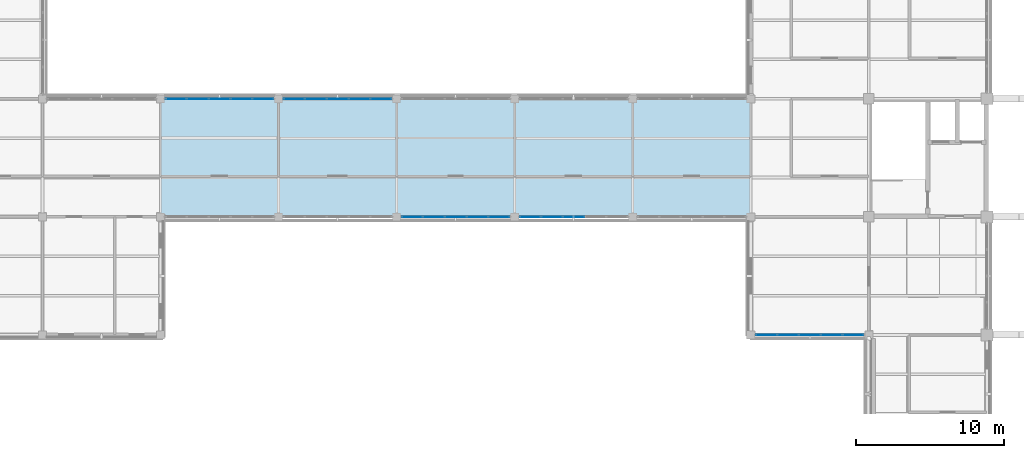
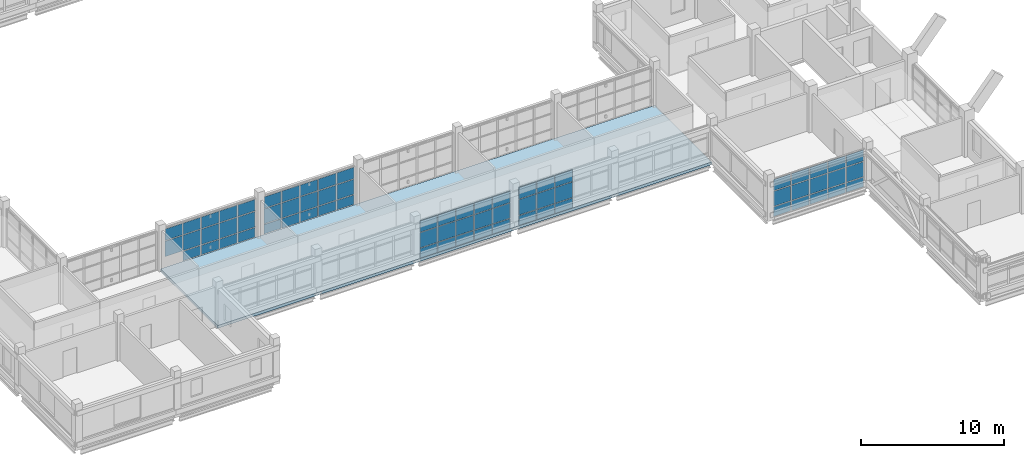
# One storey, part 49 of 92: 68 plates, 1 slab, 5 elements without a shape of their own.
"""IFC4 building model written with IfcOpenShell, lengths in metres."""

import ifcopenshell
import ifcopenshell.guid

model = None  # the IFC model being written
_history = None  # IfcOwnerHistory: only IFC2X3 demands one
_inside = {}  # id of a spatial element -> (the spatial element, [elements in it])
_under = {}  # id of a project, library or spatial element -> (it, [spatial elements below it])
_declared = {}  # id of a project -> (the project, [libraries it declares])
_typed = {}  # id of a type object -> (the type object, [elements of that type])
_made_of = {}  # id of a material, layer set ... -> (it, [elements and type objects made of it])


def new_model(schema):
    """Start an empty IFC model of exactly this schema.

    Asked for "IFC4X3", IfcOpenShell would pick the latest addendum, in which some entities
    have other attributes; the version numbers below select the first issue.
    IFC2X3 requires an IfcOwnerHistory on every rooted entity: one is made here for all.
    """
    global model, _history
    if schema == "IFC4X3":
        model = ifcopenshell.file(schema_version=(4, 3, 0, 0))
    else:
        model = ifcopenshell.file(schema=schema)
    _inside.clear()
    _under.clear()
    _declared.clear()
    _typed.clear()
    _made_of.clear()
    _history = None
    if model.schema == "IFC2X3":
        org = make("IfcOrganization", Name="unknown")
        user = make(
            "IfcPersonAndOrganization",
            ThePerson=make("IfcPerson", FamilyName="unknown"),
            TheOrganization=org,
        )
        app = make(
            "IfcApplication",
            ApplicationDeveloper=org,
            Version="unknown",
            ApplicationFullName="unknown",
            ApplicationIdentifier="unknown",
        )
        _history = make(
            "IfcOwnerHistory",
            OwningUser=user,
            OwningApplication=app,
            ChangeAction="ADDED",
            CreationDate=0,
        )
    return model


def make(cls, **values):
    """One entity of the class cls with the attributes given. An attribute that is None is left unset."""
    return model.create_entity(
        cls, **{name: value for name, value in values.items() if value is not None}
    )


def rooted(cls, **values):
    """An entity with a GlobalId (a new one), such as an element, a storey or a relation."""
    return make(cls, GlobalId=ifcopenshell.guid.new(), OwnerHistory=_history, **values)


def si_unit(unit_type, name, prefix=None):
    """IfcSIUnit, for example si_unit("LENGTHUNIT", "METRE", prefix="MILLI")."""
    return make("IfcSIUnit", UnitType=unit_type, Prefix=prefix, Name=name)


def derived_unit(unit_type, elements):
    """IfcDerivedUnit: a product of units, each with its exponent."""
    return make(
        "IfcDerivedUnit",
        Elements=[
            make("IfcDerivedUnitElement", Unit=unit, Exponent=power)
            for unit, power in elements
        ],
        UnitType=unit_type,
    )


def assignment(units):
    """IfcUnitAssignment: the units of a project."""
    return None if units is None else make("IfcUnitAssignment", Units=units)


def point(xyz):
    """IfcCartesianPoint."""
    return None if xyz is None else make("IfcCartesianPoint", Coordinates=xyz)


def direction(xyz):
    """IfcDirection."""
    return None if xyz is None else make("IfcDirection", DirectionRatios=xyz)


def frame(location, z_axis=None, x_axis=None):
    """IfcAxis2Placement3D, a coordinate frame: its origin and axes. An axis left out is left unset."""
    return make(
        "IfcAxis2Placement3D",
        Location=point(location),
        Axis=direction(z_axis),
        RefDirection=direction(x_axis),
    )


def frame_2d(location, x_axis=None):
    """IfcAxis2Placement2D, a coordinate frame in the plane: its origin and x axis."""
    return make(
        "IfcAxis2Placement2D", Location=point(location), RefDirection=direction(x_axis)
    )


def origin():
    """The frame at (0, 0, 0) with its axes left unset."""
    return frame((0.0, 0.0, 0.0))


def origin_2d():
    """The frame at (0, 0) in the plane with its x axis left unset."""
    return frame_2d((0.0, 0.0))


def place(relative_to, where):
    """IfcLocalPlacement: puts the frame where relative to a parent placement (None: the world)."""
    return make(
        "IfcLocalPlacement", PlacementRelTo=relative_to, RelativePlacement=where
    )


def context(
    kind, dimensions, precision=None, world=None, true_north=None, identifier=None
):
    """IfcGeometricRepresentationContext, for example the 3D "Model" context."""
    return make(
        "IfcGeometricRepresentationContext",
        ContextIdentifier=identifier,
        ContextType=kind,
        CoordinateSpaceDimension=dimensions,
        Precision=precision,
        WorldCoordinateSystem=world,
        TrueNorth=true_north,
    )


def subcontext(parent, identifier, kind, view, scale=None):
    """IfcGeometricRepresentationSubContext, for example "Body" below "Model"."""
    return make(
        "IfcGeometricRepresentationSubContext",
        ContextIdentifier=identifier,
        ContextType=kind,
        ParentContext=parent,
        TargetScale=scale,
        TargetView=view,
    )


def project(units=None, contexts=None):
    """IfcProject with its units and contexts."""
    return rooted(
        "IfcProject",
        Name="project",
        RepresentationContexts=contexts,
        UnitsInContext=assignment(units),
    )


def spatial(cls, under=None, at=None, **own):
    """A site, building, storey or space (cls), placed at a placement, below another one or the project."""
    s = rooted(cls, ObjectPlacement=at, **own)
    if under is not None:
        _under.setdefault(under.id(), (under, []))[1].append(s)
    return s


def polyline(points):
    """IfcPolyline through the points."""
    return make("IfcPolyline", Points=[point(p) for p in points])


def profile(cls, at=None, kind="AREA", **sizes):
    """A parametric profile (cls). Its sizes go by their IFC names, for example OverallWidth=200.0."""
    return make(cls, ProfileType=kind, Position=at, **sizes)


def rectangle(**sizes):
    """IfcRectangleProfileDef."""
    return profile("IfcRectangleProfileDef", **sizes)


def outline(outer, holes=None, kind="AREA"):
    """IfcArbitraryClosedProfileDef: a profile drawn as a closed curve; with holes, ...WithVoids."""
    if holes is None:
        return make("IfcArbitraryClosedProfileDef", ProfileType=kind, OuterCurve=outer)
    return make(
        "IfcArbitraryProfileDefWithVoids",
        ProfileType=kind,
        OuterCurve=outer,
        InnerCurves=holes,
    )


def extrude(swept, where, along, depth):
    """IfcExtrudedAreaSolid: the profile swept, set in the frame where, extruded along a direction by depth."""
    return make(
        "IfcExtrudedAreaSolid",
        SweptArea=swept,
        Position=where,
        ExtrudedDirection=direction(along),
        Depth=depth,
    )


def shape(context_of_items, identifier, shape_type, items):
    """IfcShapeRepresentation: the items that make up one representation, for example the "Body"."""
    return make(
        "IfcShapeRepresentation",
        ContextOfItems=context_of_items,
        RepresentationIdentifier=identifier,
        RepresentationType=shape_type,
        Items=items,
    )


def material(Name=None, Category=None):
    """IfcMaterial."""
    return make("IfcMaterial", Name=Name, Category=Category)


def layer(
    of_material, thickness, ventilated=None, Name=None, Category=None, Priority=None
):
    """IfcMaterialLayer: one layer of a wall or slab, of a material (None: an air gap)."""
    return make(
        "IfcMaterialLayer",
        Material=of_material,
        LayerThickness=thickness,
        IsVentilated=ventilated,
        Name=Name,
        Category=Category,
        Priority=Priority,
    )


def layer_set(layers, Name=None):
    """IfcMaterialLayerSet."""
    return make("IfcMaterialLayerSet", MaterialLayers=layers, LayerSetName=Name)


def made_of(thing, what):
    """Note that an element or type object is made of a material, layer set ...; save() writes the relation."""
    if what is not None:
        _made_of.setdefault(what.id(), (what, []))[1].append(thing)
    return thing


def type_object(cls, material=None, **own):
    """A type object (cls), such as IfcWallType, which elements share."""
    return made_of(rooted(cls, **own), material)


def element(
    cls,
    number,
    at=None,
    inside=None,
    cuts=None,
    type_object=None,
    material=None,
    context=None,
    identifier="Body",
    shape_type=None,
    held_by="IfcProductDefinitionShape",
    body=None,
    shapes=None,
    **own,
):
    """One element of the class cls, such as IfcWall. Its Tag is "e" and its number.

    at: its placement. inside: the storey or other place that contains it. cuts: it is an
    opening in that element (IfcRelVoidsElement). A single representation is given by context,
    identifier, shape_type and body (its items); several are given by shapes. held_by: the class
    of the entity that holds the representations. save() writes the other relations.
    """
    e = rooted(cls, Tag="e%d" % number, ObjectPlacement=at, **own)
    if body is not None:
        shapes = [shape(context, identifier, shape_type, body)]
    if shapes is not None:
        e.Representation = make(held_by, Representations=shapes)
    if inside is not None:
        _inside.setdefault(inside.id(), (inside, []))[1].append(e)
    if cuts is not None:
        rooted(
            "IfcRelVoidsElement", RelatingBuildingElement=cuts, RelatedOpeningElement=e
        )
    if type_object is not None:
        _typed.setdefault(type_object.id(), (type_object, []))[1].append(e)
    return made_of(e, material)


def aggregate(whole, parts):
    """IfcRelAggregates: a whole, such as a stair, and the parts it consists of."""
    return rooted("IfcRelAggregates", RelatingObject=whole, RelatedObjects=parts)


def save(model, path):
    """Write the relations noted so far, then the file.

    IfcRelAggregates (storeys below a building ...), IfcRelContainedInSpatialStructure (elements
    in a storey), IfcRelDefinesByType, IfcRelAssociatesMaterial and IfcRelDeclares: one each for
    every whole, place, type object, material and project.
    """
    for whole, parts in _under.values():
        aggregate(whole, parts)
    for where, things in _inside.values():
        rooted(
            "IfcRelContainedInSpatialStructure",
            RelatedElements=things,
            RelatingStructure=where,
        )
    for kind, things in _typed.values():
        rooted("IfcRelDefinesByType", RelatedObjects=things, RelatingType=kind)
    for what, things in _made_of.values():
        rooted("IfcRelAssociatesMaterial", RelatedObjects=things, RelatingMaterial=what)
    for by, libraries in _declared.values():
        rooted("IfcRelDeclares", RelatingContext=by, RelatedDefinitions=libraries)
    model.write(path)


model = new_model("IFC4")

# Units and contexts
model_context = context("Model", 3, precision=1e-05, world=origin(), true_north=direction((0.0, 1.0)))
body_context = subcontext(model_context, "Body", "Model", "MODEL_VIEW")
ifc_project = project(units=[si_unit("LENGTHUNIT", "METRE"), si_unit("AREAUNIT", "SQUARE_METRE"), si_unit("VOLUMEUNIT", "CUBIC_METRE"), si_unit("PLANEANGLEUNIT", "RADIAN"), si_unit("MASSUNIT", "GRAM", prefix="KILO"), derived_unit("THERMALTRANSMITTANCEUNIT", [(si_unit("MASSUNIT", "GRAM", prefix="KILO"), 1), (si_unit("TIMEUNIT", "SECOND"), -3), (si_unit("THERMODYNAMICTEMPERATUREUNIT", "KELVIN"), -1)])], contexts=[model_context])

# Site, building, storey
site_placement = place(None, origin())
site = spatial("IfcSite", under=ifc_project, at=site_placement, CompositionType="ELEMENT")
building_placement = place(site_placement, origin())
building = spatial("IfcBuilding", under=site, at=building_placement, Name="Veyamyaing Civic Hall", CompositionType="ELEMENT")
storey_placement = place(building_placement, frame((0.0, 0.0, 17.820068359375)))
storey = spatial("IfcBuildingStorey", under=building, at=storey_placement, Name="L04", CompositionType="ELEMENT", Elevation=17.820068359375)

# Curtain wall, plates
ifc_material_1 = material(Name="Anodised aluminium 6063-T6", Category="aluminium")
ifc_layer_1 = layer(ifc_material_1, 0.139892578125, Name="Anodised aluminium 6063-T6")
ifc_layer_set_1 = layer_set([ifc_layer_1], Name="Anodised aluminium 6063-T6")
curtain_wall_type = type_object("IfcCurtainWallType", Name="CW-04", PredefinedType="NOTDEFINED", material=ifc_layer_set_1)
curtain_wall_1_placement = place(storey_placement, origin())
curtain_wall_1 = element("IfcCurtainWall", 1, at=curtain_wall_1_placement, inside=storey, type_object=curtain_wall_type, Name="Unitized curtain wall CW-04 L04 N 3.7", PredefinedType="NOTDEFINED")
ifc_material_2 = material(Name="Low-E insulated glass", Category="glass")
ifc_layer_2 = layer(ifc_material_2, 0.031982421875, Name="Low-E insulated glass")
ifc_layer_set_2 = layer_set([ifc_layer_2], Name="Low-E insulated glass")
plate_type_1 = type_object("IfcPlateType", Name="CWP-02", PredefinedType="CURTAIN_PANEL", material=ifc_layer_set_2)
plate_1_placement = place(storey_placement, frame((17.05908203125, 56.0, 0.929931640625), z_axis=(0.0, 0.0, 1.0), x_axis=(1.0, 0.0, 0.0)))
plate_1 = element("IfcPlate", 2, at=plate_1_placement, type_object=plate_type_1, Name="CW-04 panel 1.2", PredefinedType="CURTAIN_PANEL", context=body_context, shape_type="SweptSolid", body=[
    extrude(rectangle(XDim=1.387939453125, YDim=0.031982421875, at=origin_2d()), origin(), (0.0, 0.0, 1.0), 1.3173828125),
])
plate_2_placement = place(storey_placement, frame((17.05908203125, 56.0, 2.30712890625), z_axis=(0.0, 0.0, 1.0), x_axis=(1.0, 0.0, 0.0)))
plate_2 = element("IfcPlate", 3, at=plate_2_placement, type_object=plate_type_1, Name="CW-04 panel 1.3", PredefinedType="CURTAIN_PANEL", context=body_context, shape_type="SweptSolid", body=[
    extrude(rectangle(XDim=1.387939453125, YDim=0.031982421875, at=origin_2d()), origin(), (0.0, 0.0, 1.0), 0.981689453125),
])
plate_3_placement = place(storey_placement, frame((18.52197265625, 56.0, 0.059814453125), z_axis=(0.0, 0.0, 1.0), x_axis=(1.0, 0.0, 0.0)))
plate_3 = element("IfcPlate", 4, at=plate_3_placement, type_object=plate_type_1, Name="CW-04 panel 2.1", PredefinedType="CURTAIN_PANEL", context=body_context, shape_type="SweptSolid", body=[
    extrude(rectangle(XDim=1.41796875, YDim=0.031982421875, at=origin_2d()), origin(), (0.0, 0.0, 1.0), 0.81005859375),
])
plate_4_placement = place(storey_placement, frame((18.52197265625, 56.0, 0.929931640625), z_axis=(0.0, 0.0, 1.0), x_axis=(1.0, 0.0, 0.0)))
plate_4 = element("IfcPlate", 5, at=plate_4_placement, type_object=plate_type_1, Name="CW-04 panel 2.2", PredefinedType="CURTAIN_PANEL", context=body_context, shape_type="SweptSolid", body=[
    extrude(rectangle(XDim=1.41796875, YDim=0.031982421875, at=origin_2d()), origin(), (0.0, 0.0, 1.0), 1.3173828125),
])
plate_5_placement = place(storey_placement, frame((18.52197265625, 56.0, 2.30712890625), z_axis=(0.0, 0.0, 1.0), x_axis=(1.0, 0.0, 0.0)))
plate_5 = element("IfcPlate", 6, at=plate_5_placement, type_object=plate_type_1, Name="CW-04 panel 2.3", PredefinedType="CURTAIN_PANEL", context=body_context, shape_type="SweptSolid", body=[
    extrude(rectangle(XDim=1.41796875, YDim=0.031982421875, at=origin_2d()), origin(), (0.0, 0.0, 1.0), 0.981689453125),
])
plate_6_placement = place(storey_placement, frame((20.0, 56.0, 0.059814453125), z_axis=(0.0, 0.0, 1.0), x_axis=(1.0, 0.0, 0.0)))
plate_6 = element("IfcPlate", 7, at=plate_6_placement, type_object=plate_type_1, Name="CW-04 panel 3.1", PredefinedType="CURTAIN_PANEL", context=body_context, shape_type="SweptSolid", body=[
    extrude(rectangle(XDim=1.41796875, YDim=0.031982421875, at=origin_2d()), origin(), (0.0, 0.0, 1.0), 0.81005859375),
])
plate_7_placement = place(storey_placement, frame((20.0, 56.0, 0.929931640625), z_axis=(0.0, 0.0, 1.0), x_axis=(1.0, 0.0, 0.0)))
plate_7 = element("IfcPlate", 8, at=plate_7_placement, type_object=plate_type_1, Name="CW-04 panel 3.2", PredefinedType="CURTAIN_PANEL", context=body_context, shape_type="SweptSolid", body=[
    extrude(rectangle(XDim=1.41796875, YDim=0.031982421875, at=origin_2d()), origin(), (0.0, 0.0, 1.0), 1.3173828125),
])
plate_8_placement = place(storey_placement, frame((20.0, 56.0, 2.30712890625), z_axis=(0.0, 0.0, 1.0), x_axis=(1.0, 0.0, 0.0)))
plate_8 = element("IfcPlate", 9, at=plate_8_placement, type_object=plate_type_1, Name="CW-04 panel 3.3", PredefinedType="CURTAIN_PANEL", context=body_context, shape_type="SweptSolid", body=[
    extrude(rectangle(XDim=1.41796875, YDim=0.031982421875, at=origin_2d()), origin(), (0.0, 0.0, 1.0), 0.981689453125),
])
plate_9_placement = place(storey_placement, frame((21.47802734375, 56.0, 0.059814453125), z_axis=(0.0, 0.0, 1.0), x_axis=(1.0, 0.0, 0.0)))
plate_9 = element("IfcPlate", 10, at=plate_9_placement, type_object=plate_type_1, Name="CW-04 panel 4.1", PredefinedType="CURTAIN_PANEL", context=body_context, shape_type="SweptSolid", body=[
    extrude(rectangle(XDim=1.41796875, YDim=0.031982421875, at=origin_2d()), origin(), (0.0, 0.0, 1.0), 0.81005859375),
])
plate_10_placement = place(storey_placement, frame((21.47802734375, 56.0, 0.929931640625), z_axis=(0.0, 0.0, 1.0), x_axis=(1.0, 0.0, 0.0)))
plate_10 = element("IfcPlate", 11, at=plate_10_placement, type_object=plate_type_1, Name="CW-04 panel 4.2", PredefinedType="CURTAIN_PANEL", context=body_context, shape_type="SweptSolid", body=[
    extrude(rectangle(XDim=1.41796875, YDim=0.031982421875, at=origin_2d()), origin(), (0.0, 0.0, 1.0), 1.3173828125),
])
plate_11_placement = place(storey_placement, frame((21.47802734375, 56.0, 2.30712890625), z_axis=(0.0, 0.0, 1.0), x_axis=(1.0, 0.0, 0.0)))
plate_11 = element("IfcPlate", 12, at=plate_11_placement, type_object=plate_type_1, Name="CW-04 panel 4.3", PredefinedType="CURTAIN_PANEL", context=body_context, shape_type="SweptSolid", body=[
    extrude(rectangle(XDim=1.41796875, YDim=0.031982421875, at=origin_2d()), origin(), (0.0, 0.0, 1.0), 0.981689453125),
])
plate_12_placement = place(storey_placement, frame((22.94091796875, 56.0, 0.059814453125), z_axis=(0.0, 0.0, 1.0), x_axis=(1.0, 0.0, 0.0)))
plate_12 = element("IfcPlate", 13, at=plate_12_placement, type_object=plate_type_1, Name="CW-04 panel 5.1", PredefinedType="CURTAIN_PANEL", context=body_context, shape_type="SweptSolid", body=[
    extrude(rectangle(XDim=1.387939453125, YDim=0.031982421875, at=origin_2d()), origin(), (0.0, 0.0, 1.0), 0.81005859375),
])
plate_13_placement = place(storey_placement, frame((22.94091796875, 56.0, 0.929931640625), z_axis=(0.0, 0.0, 1.0), x_axis=(1.0, 0.0, 0.0)))
plate_13 = element("IfcPlate", 14, at=plate_13_placement, type_object=plate_type_1, Name="CW-04 panel 5.2", PredefinedType="CURTAIN_PANEL", context=body_context, shape_type="SweptSolid", body=[
    extrude(rectangle(XDim=1.387939453125, YDim=0.031982421875, at=origin_2d()), origin(), (0.0, 0.0, 1.0), 1.3173828125),
])
plate_14_placement = place(storey_placement, frame((22.94091796875, 56.0, 2.30712890625), z_axis=(0.0, 0.0, 1.0), x_axis=(1.0, 0.0, 0.0)))
plate_14 = element("IfcPlate", 15, at=plate_14_placement, type_object=plate_type_1, Name="CW-04 panel 5.3", PredefinedType="CURTAIN_PANEL", context=body_context, shape_type="SweptSolid", body=[
    extrude(rectangle(XDim=1.387939453125, YDim=0.031982421875, at=origin_2d()), origin(), (0.0, 0.0, 1.0), 0.981689453125),
])
aggregate(curtain_wall_1, [plate_1, plate_2, plate_3, plate_4, plate_5, plate_6, plate_7, plate_8, plate_9, plate_10, plate_11, plate_12, plate_13, plate_14])

curtain_wall_2_placement = place(storey_placement, origin())
curtain_wall_2 = element("IfcCurtainWall", 16, at=curtain_wall_2_placement, inside=storey, type_object=curtain_wall_type, Name="Unitized curtain wall CW-04 L04 N 4.7", PredefinedType="NOTDEFINED")
ifc_layer_3 = layer(ifc_material_2, 0.035888671875, Name="Low-E insulated glass")
ifc_layer_set_3 = layer_set([ifc_layer_3], Name="Low-E insulated glass")
plate_type_2 = type_object("IfcPlateType", Name="CWP-03", PredefinedType="CURTAIN_PANEL", material=ifc_layer_set_3)
plate_15_placement = place(storey_placement, frame((25.05908203125, 56.0, 0.059814453125), z_axis=(0.0, 0.0, 1.0), x_axis=(1.0, 0.0, 0.0)))
plate_15 = element("IfcPlate", 17, at=plate_15_placement, type_object=plate_type_2, Name="CW-04 panel 1.1", PredefinedType="CURTAIN_PANEL", context=body_context, shape_type="SweptSolid", body=[
    extrude(rectangle(XDim=1.387939453125, YDim=0.035888671875, at=origin_2d()), origin(), (0.0, 0.0, 1.0), 0.81005859375),
])
plate_16_placement = place(storey_placement, frame((25.05908203125, 56.0, 0.9296875), z_axis=(0.0, 0.0, 1.0), x_axis=(1.0, 0.0, 0.0)))
plate_16 = element("IfcPlate", 18, at=plate_16_placement, type_object=plate_type_2, Name="CW-04 panel 1.2", PredefinedType="CURTAIN_PANEL", context=body_context, shape_type="SweptSolid", body=[
    extrude(rectangle(XDim=1.387939453125, YDim=0.035888671875, at=origin_2d()), origin(), (0.0, 0.0, 1.0), 1.276611328125),
])
plate_17_placement = place(storey_placement, frame((25.05908203125, 56.0, 2.2666015625), z_axis=(0.0, 0.0, 1.0), x_axis=(1.0, 0.0, 0.0)))
plate_17 = element("IfcPlate", 19, at=plate_17_placement, type_object=plate_type_2, Name="CW-04 panel 1.3", PredefinedType="CURTAIN_PANEL", context=body_context, shape_type="SweptSolid", body=[
    extrude(rectangle(XDim=1.387939453125, YDim=0.035888671875, at=origin_2d()), origin(), (0.0, 0.0, 1.0), 0.96240234375),
])
plate_18_placement = place(storey_placement, frame((26.52197265625, 56.0, 0.059814453125), z_axis=(0.0, 0.0, 1.0), x_axis=(1.0, 0.0, 0.0)))
plate_18 = element("IfcPlate", 20, at=plate_18_placement, type_object=plate_type_2, Name="CW-04 panel 2.1", PredefinedType="CURTAIN_PANEL", context=body_context, shape_type="SweptSolid", body=[
    extrude(rectangle(XDim=1.41796875, YDim=0.035888671875, at=origin_2d()), origin(), (0.0, 0.0, 1.0), 0.81005859375),
])
plate_19_placement = place(storey_placement, frame((26.52197265625, 56.0, 0.9296875), z_axis=(0.0, 0.0, 1.0), x_axis=(1.0, 0.0, 0.0)))
plate_19 = element("IfcPlate", 21, at=plate_19_placement, type_object=plate_type_2, Name="CW-04 panel 2.2", PredefinedType="CURTAIN_PANEL", context=body_context, shape_type="SweptSolid", body=[
    extrude(rectangle(XDim=1.41796875, YDim=0.035888671875, at=origin_2d()), origin(), (0.0, 0.0, 1.0), 1.276611328125),
])
plate_20_placement = place(storey_placement, frame((26.52197265625, 56.0, 2.2666015625), z_axis=(0.0, 0.0, 1.0), x_axis=(1.0, 0.0, 0.0)))
plate_20 = element("IfcPlate", 22, at=plate_20_placement, type_object=plate_type_2, Name="CW-04 panel 2.3", PredefinedType="CURTAIN_PANEL", context=body_context, shape_type="SweptSolid", body=[
    extrude(rectangle(XDim=1.41796875, YDim=0.035888671875, at=origin_2d()), origin(), (0.0, 0.0, 1.0), 0.96240234375),
])
plate_21_placement = place(storey_placement, frame((28.0, 56.0, 0.059814453125), z_axis=(0.0, 0.0, 1.0), x_axis=(1.0, 0.0, 0.0)))
plate_21 = element("IfcPlate", 23, at=plate_21_placement, type_object=plate_type_2, Name="CW-04 panel 3.1", PredefinedType="CURTAIN_PANEL", context=body_context, shape_type="SweptSolid", body=[
    extrude(rectangle(XDim=1.41796875, YDim=0.035888671875, at=origin_2d()), origin(), (0.0, 0.0, 1.0), 0.81005859375),
])
plate_22_placement = place(storey_placement, frame((28.0, 56.0, 0.9296875), z_axis=(0.0, 0.0, 1.0), x_axis=(1.0, 0.0, 0.0)))
plate_22 = element("IfcPlate", 24, at=plate_22_placement, type_object=plate_type_2, Name="CW-04 panel 3.2", PredefinedType="CURTAIN_PANEL", context=body_context, shape_type="SweptSolid", body=[
    extrude(rectangle(XDim=1.41796875, YDim=0.035888671875, at=origin_2d()), origin(), (0.0, 0.0, 1.0), 1.276611328125),
])
plate_23_placement = place(storey_placement, frame((28.0, 56.0, 2.2666015625), z_axis=(0.0, 0.0, 1.0), x_axis=(1.0, 0.0, 0.0)))
plate_23 = element("IfcPlate", 25, at=plate_23_placement, type_object=plate_type_2, Name="CW-04 panel 3.3", PredefinedType="CURTAIN_PANEL", context=body_context, shape_type="SweptSolid", body=[
    extrude(rectangle(XDim=1.41796875, YDim=0.035888671875, at=origin_2d()), origin(), (0.0, 0.0, 1.0), 0.96240234375),
])
plate_24_placement = place(storey_placement, frame((29.47802734375, 56.0, 0.059814453125), z_axis=(0.0, 0.0, 1.0), x_axis=(1.0, 0.0, 0.0)))
plate_24 = element("IfcPlate", 26, at=plate_24_placement, type_object=plate_type_2, Name="CW-04 panel 4.1", PredefinedType="CURTAIN_PANEL", context=body_context, shape_type="SweptSolid", body=[
    extrude(rectangle(XDim=1.41796875, YDim=0.035888671875, at=origin_2d()), origin(), (0.0, 0.0, 1.0), 0.81005859375),
])
plate_25_placement = place(storey_placement, frame((29.47802734375, 56.0, 0.9296875), z_axis=(0.0, 0.0, 1.0), x_axis=(1.0, 0.0, 0.0)))
plate_25 = element("IfcPlate", 27, at=plate_25_placement, type_object=plate_type_2, Name="CW-04 panel 4.2", PredefinedType="CURTAIN_PANEL", context=body_context, shape_type="SweptSolid", body=[
    extrude(rectangle(XDim=1.41796875, YDim=0.035888671875, at=origin_2d()), origin(), (0.0, 0.0, 1.0), 1.276611328125),
])
plate_26_placement = place(storey_placement, frame((29.47802734375, 56.0, 2.2666015625), z_axis=(0.0, 0.0, 1.0), x_axis=(1.0, 0.0, 0.0)))
plate_26 = element("IfcPlate", 28, at=plate_26_placement, type_object=plate_type_2, Name="CW-04 panel 4.3", PredefinedType="CURTAIN_PANEL", context=body_context, shape_type="SweptSolid", body=[
    extrude(rectangle(XDim=1.41796875, YDim=0.035888671875, at=origin_2d()), origin(), (0.0, 0.0, 1.0), 0.96240234375),
])
plate_27_placement = place(storey_placement, frame((30.94091796875, 56.0, 0.059814453125), z_axis=(0.0, 0.0, 1.0), x_axis=(1.0, 0.0, 0.0)))
plate_27 = element("IfcPlate", 29, at=plate_27_placement, type_object=plate_type_2, Name="CW-04 panel 5.1", PredefinedType="CURTAIN_PANEL", context=body_context, shape_type="SweptSolid", body=[
    extrude(rectangle(XDim=1.387939453125, YDim=0.035888671875, at=origin_2d()), origin(), (0.0, 0.0, 1.0), 0.81005859375),
])
plate_28_placement = place(storey_placement, frame((30.94091796875, 56.0, 0.9296875), z_axis=(0.0, 0.0, 1.0), x_axis=(1.0, 0.0, 0.0)))
plate_28 = element("IfcPlate", 30, at=plate_28_placement, type_object=plate_type_2, Name="CW-04 panel 5.2", PredefinedType="CURTAIN_PANEL", context=body_context, shape_type="SweptSolid", body=[
    extrude(rectangle(XDim=1.387939453125, YDim=0.035888671875, at=origin_2d()), origin(), (0.0, 0.0, 1.0), 1.276611328125),
])
plate_29_placement = place(storey_placement, frame((30.94091796875, 56.0, 2.2666015625), z_axis=(0.0, 0.0, 1.0), x_axis=(1.0, 0.0, 0.0)))
plate_29 = element("IfcPlate", 31, at=plate_29_placement, type_object=plate_type_2, Name="CW-04 panel 5.3", PredefinedType="CURTAIN_PANEL", context=body_context, shape_type="SweptSolid", body=[
    extrude(rectangle(XDim=1.387939453125, YDim=0.035888671875, at=origin_2d()), origin(), (0.0, 0.0, 1.0), 0.96240234375),
])
aggregate(curtain_wall_2, [plate_15, plate_16, plate_17, plate_18, plate_19, plate_20, plate_21, plate_22, plate_23, plate_24, plate_25, plate_26, plate_27, plate_28, plate_29])

curtain_wall_3_placement = place(storey_placement, origin())
curtain_wall_3 = element("IfcCurtainWall", 32, at=curtain_wall_3_placement, inside=storey, type_object=curtain_wall_type, Name="Unitized curtain wall CW-04 L04 S 5.7", PredefinedType="NOTDEFINED")
ifc_layer_4 = layer(ifc_material_2, 0.02392578125, Name="Low-E insulated glass")
ifc_layer_set_4 = layer_set([ifc_layer_4], Name="Low-E insulated glass")
plate_type_3 = type_object("IfcPlateType", Name="CWP-04", PredefinedType="CURTAIN_PANEL", material=ifc_layer_set_4)
plate_30_placement = place(storey_placement, frame((33.05908203125, 48.0, 0.059814453125), z_axis=(0.0, 0.0, 1.0), x_axis=(1.0, 0.0, 0.0)))
plate_30 = element("IfcPlate", 33, at=plate_30_placement, type_object=plate_type_3, Name="CW-04 panel 1.1", PredefinedType="CURTAIN_PANEL", context=body_context, shape_type="SweptSolid", body=[
    extrude(rectangle(XDim=1.387939453125, YDim=0.02392578125, at=origin_2d()), origin(), (0.0, 0.0, 1.0), 0.81005859375),
])
plate_31_placement = place(storey_placement, frame((33.05908203125, 48.0, 0.9296875), z_axis=(0.0, 0.0, 1.0), x_axis=(1.0, 0.0, 0.0)))
plate_31 = element("IfcPlate", 34, at=plate_31_placement, type_object=plate_type_3, Name="CW-04 panel 1.2", PredefinedType="CURTAIN_PANEL", context=body_context, shape_type="SweptSolid", body=[
    extrude(rectangle(XDim=1.387939453125, YDim=0.02392578125, at=origin_2d()), origin(), (0.0, 0.0, 1.0), 1.276611328125),
])
plate_32_placement = place(storey_placement, frame((33.05908203125, 48.0, 2.2666015625), z_axis=(0.0, 0.0, 1.0), x_axis=(1.0, 0.0, 0.0)))
plate_32 = element("IfcPlate", 35, at=plate_32_placement, type_object=plate_type_3, Name="CW-04 panel 1.3", PredefinedType="CURTAIN_PANEL", context=body_context, shape_type="SweptSolid", body=[
    extrude(rectangle(XDim=1.387939453125, YDim=0.02392578125, at=origin_2d()), origin(), (0.0, 0.0, 1.0), 0.96240234375),
])
plate_33_placement = place(storey_placement, frame((34.52197265625, 48.0, 0.059814453125), z_axis=(0.0, 0.0, 1.0), x_axis=(1.0, 0.0, 0.0)))
plate_33 = element("IfcPlate", 36, at=plate_33_placement, type_object=plate_type_3, Name="CW-04 panel 2.1", PredefinedType="CURTAIN_PANEL", context=body_context, shape_type="SweptSolid", body=[
    extrude(rectangle(XDim=1.41796875, YDim=0.02392578125, at=origin_2d()), origin(), (0.0, 0.0, 1.0), 0.81005859375),
])
plate_34_placement = place(storey_placement, frame((34.52197265625, 48.0, 0.9296875), z_axis=(0.0, 0.0, 1.0), x_axis=(1.0, 0.0, 0.0)))
plate_34 = element("IfcPlate", 37, at=plate_34_placement, type_object=plate_type_3, Name="CW-04 panel 2.2", PredefinedType="CURTAIN_PANEL", context=body_context, shape_type="SweptSolid", body=[
    extrude(rectangle(XDim=1.41796875, YDim=0.02392578125, at=origin_2d()), origin(), (0.0, 0.0, 1.0), 1.276611328125),
])
plate_35_placement = place(storey_placement, frame((34.52197265625, 48.0, 2.2666015625), z_axis=(0.0, 0.0, 1.0), x_axis=(1.0, 0.0, 0.0)))
plate_35 = element("IfcPlate", 38, at=plate_35_placement, type_object=plate_type_3, Name="CW-04 panel 2.3", PredefinedType="CURTAIN_PANEL", context=body_context, shape_type="SweptSolid", body=[
    extrude(rectangle(XDim=1.41796875, YDim=0.02392578125, at=origin_2d()), origin(), (0.0, 0.0, 1.0), 0.96240234375),
])
plate_36_placement = place(storey_placement, frame((36.0, 48.0, 0.059814453125), z_axis=(0.0, 0.0, 1.0), x_axis=(1.0, 0.0, 0.0)))
plate_36 = element("IfcPlate", 39, at=plate_36_placement, type_object=plate_type_3, Name="CW-04 panel 3.1", PredefinedType="CURTAIN_PANEL", context=body_context, shape_type="SweptSolid", body=[
    extrude(rectangle(XDim=1.41796875, YDim=0.02392578125, at=origin_2d()), origin(), (0.0, 0.0, 1.0), 0.81005859375),
])
plate_37_placement = place(storey_placement, frame((36.0, 48.0, 0.9296875), z_axis=(0.0, 0.0, 1.0), x_axis=(1.0, 0.0, 0.0)))
plate_37 = element("IfcPlate", 40, at=plate_37_placement, type_object=plate_type_3, Name="CW-04 panel 3.2", PredefinedType="CURTAIN_PANEL", context=body_context, shape_type="SweptSolid", body=[
    extrude(rectangle(XDim=1.41796875, YDim=0.02392578125, at=origin_2d()), origin(), (0.0, 0.0, 1.0), 1.276611328125),
])
plate_38_placement = place(storey_placement, frame((36.0, 48.0, 2.2666015625), z_axis=(0.0, 0.0, 1.0), x_axis=(1.0, 0.0, 0.0)))
plate_38 = element("IfcPlate", 41, at=plate_38_placement, type_object=plate_type_3, Name="CW-04 panel 3.3", PredefinedType="CURTAIN_PANEL", context=body_context, shape_type="SweptSolid", body=[
    extrude(rectangle(XDim=1.41796875, YDim=0.02392578125, at=origin_2d()), origin(), (0.0, 0.0, 1.0), 0.96240234375),
])
plate_39_placement = place(storey_placement, frame((37.47802734375, 48.0, 0.059814453125), z_axis=(0.0, 0.0, 1.0), x_axis=(1.0, 0.0, 0.0)))
plate_39 = element("IfcPlate", 42, at=plate_39_placement, type_object=plate_type_3, Name="CW-04 panel 4.1", PredefinedType="CURTAIN_PANEL", context=body_context, shape_type="SweptSolid", body=[
    extrude(rectangle(XDim=1.41796875, YDim=0.02392578125, at=origin_2d()), origin(), (0.0, 0.0, 1.0), 0.81005859375),
])
plate_40_placement = place(storey_placement, frame((37.47802734375, 48.0, 0.9296875), z_axis=(0.0, 0.0, 1.0), x_axis=(1.0, 0.0, 0.0)))
plate_40 = element("IfcPlate", 43, at=plate_40_placement, type_object=plate_type_3, Name="CW-04 panel 4.2", PredefinedType="CURTAIN_PANEL", context=body_context, shape_type="SweptSolid", body=[
    extrude(rectangle(XDim=1.41796875, YDim=0.02392578125, at=origin_2d()), origin(), (0.0, 0.0, 1.0), 1.276611328125),
])
plate_41_placement = place(storey_placement, frame((37.47802734375, 48.0, 2.2666015625), z_axis=(0.0, 0.0, 1.0), x_axis=(1.0, 0.0, 0.0)))
plate_41 = element("IfcPlate", 44, at=plate_41_placement, type_object=plate_type_3, Name="CW-04 panel 4.3", PredefinedType="CURTAIN_PANEL", context=body_context, shape_type="SweptSolid", body=[
    extrude(rectangle(XDim=1.41796875, YDim=0.02392578125, at=origin_2d()), origin(), (0.0, 0.0, 1.0), 0.96240234375),
])
plate_42_placement = place(storey_placement, frame((38.94091796875, 48.0, 0.059814453125), z_axis=(0.0, 0.0, 1.0), x_axis=(1.0, 0.0, 0.0)))
plate_42 = element("IfcPlate", 45, at=plate_42_placement, type_object=plate_type_3, Name="CW-04 panel 5.1", PredefinedType="CURTAIN_PANEL", context=body_context, shape_type="SweptSolid", body=[
    extrude(rectangle(XDim=1.387939453125, YDim=0.02392578125, at=origin_2d()), origin(), (0.0, 0.0, 1.0), 0.81005859375),
])
plate_43_placement = place(storey_placement, frame((38.94091796875, 48.0, 0.9296875), z_axis=(0.0, 0.0, 1.0), x_axis=(1.0, 0.0, 0.0)))
plate_43 = element("IfcPlate", 46, at=plate_43_placement, type_object=plate_type_3, Name="CW-04 panel 5.2", PredefinedType="CURTAIN_PANEL", context=body_context, shape_type="SweptSolid", body=[
    extrude(rectangle(XDim=1.387939453125, YDim=0.02392578125, at=origin_2d()), origin(), (0.0, 0.0, 1.0), 1.276611328125),
])
plate_44_placement = place(storey_placement, frame((38.94091796875, 48.0, 2.2666015625), z_axis=(0.0, 0.0, 1.0), x_axis=(1.0, 0.0, 0.0)))
plate_44 = element("IfcPlate", 47, at=plate_44_placement, type_object=plate_type_3, Name="CW-04 panel 5.3", PredefinedType="CURTAIN_PANEL", context=body_context, shape_type="SweptSolid", body=[
    extrude(rectangle(XDim=1.387939453125, YDim=0.02392578125, at=origin_2d()), origin(), (0.0, 0.0, 1.0), 0.96240234375),
])
aggregate(curtain_wall_3, [plate_30, plate_31, plate_32, plate_33, plate_34, plate_35, plate_36, plate_37, plate_38, plate_39, plate_40, plate_41, plate_42, plate_43, plate_44])

curtain_wall_4_placement = place(storey_placement, origin())
curtain_wall_4 = element("IfcCurtainWall", 48, at=curtain_wall_4_placement, inside=storey, type_object=curtain_wall_type, Name="Unitized curtain wall CW-04 L04 S 6.7", PredefinedType="NOTDEFINED")
ifc_layer_5 = layer(ifc_material_2, 0.0400390625, Name="Low-E insulated glass")
ifc_layer_set_5 = layer_set([ifc_layer_5], Name="Low-E insulated glass")
plate_type_4 = type_object("IfcPlateType", Name="CWP-05", PredefinedType="CURTAIN_PANEL", material=ifc_layer_set_5)
plate_45_placement = place(storey_placement, frame((41.05908203125, 48.0, 0.059814453125), z_axis=(0.0, 0.0, 1.0), x_axis=(1.0, 0.0, 0.0)))
plate_45 = element("IfcPlate", 49, at=plate_45_placement, type_object=plate_type_4, Name="CW-04 panel 1.1", PredefinedType="CURTAIN_PANEL", context=body_context, shape_type="SweptSolid", body=[
    extrude(rectangle(XDim=1.387939453125, YDim=0.0400390625, at=origin_2d()), origin(), (0.0, 0.0, 1.0), 0.81005859375),
])
plate_46_placement = place(storey_placement, frame((41.05908203125, 48.0, 0.929931640625), z_axis=(0.0, 0.0, 1.0), x_axis=(1.0, 0.0, 0.0)))
plate_46 = element("IfcPlate", 50, at=plate_46_placement, type_object=plate_type_4, Name="CW-04 panel 1.2", PredefinedType="CURTAIN_PANEL", context=body_context, shape_type="SweptSolid", body=[
    extrude(rectangle(XDim=1.387939453125, YDim=0.0400390625, at=origin_2d()), origin(), (0.0, 0.0, 1.0), 1.3193359375),
])
plate_47_placement = place(storey_placement, frame((41.05908203125, 48.0, 2.30908203125), z_axis=(0.0, 0.0, 1.0), x_axis=(1.0, 0.0, 0.0)))
plate_47 = element("IfcPlate", 51, at=plate_47_placement, type_object=plate_type_4, Name="CW-04 panel 1.3", PredefinedType="CURTAIN_PANEL", context=body_context, shape_type="SweptSolid", body=[
    extrude(rectangle(XDim=1.387939453125, YDim=0.0400390625, at=origin_2d()), origin(), (0.0, 0.0, 1.0), 0.982666015625),
])
plate_48_placement = place(storey_placement, frame((42.52197265625, 48.0, 0.059814453125), z_axis=(0.0, 0.0, 1.0), x_axis=(1.0, 0.0, 0.0)))
plate_48 = element("IfcPlate", 52, at=plate_48_placement, type_object=plate_type_4, Name="CW-04 panel 2.1", PredefinedType="CURTAIN_PANEL", context=body_context, shape_type="SweptSolid", body=[
    extrude(rectangle(XDim=1.41796875, YDim=0.0400390625, at=origin_2d()), origin(), (0.0, 0.0, 1.0), 0.81005859375),
])
plate_49_placement = place(storey_placement, frame((42.52197265625, 48.0, 0.929931640625), z_axis=(0.0, 0.0, 1.0), x_axis=(1.0, 0.0, 0.0)))
plate_49 = element("IfcPlate", 53, at=plate_49_placement, type_object=plate_type_4, Name="CW-04 panel 2.2", PredefinedType="CURTAIN_PANEL", context=body_context, shape_type="SweptSolid", body=[
    extrude(rectangle(XDim=1.41796875, YDim=0.0400390625, at=origin_2d()), origin(), (0.0, 0.0, 1.0), 1.3193359375),
])
plate_50_placement = place(storey_placement, frame((42.52197265625, 48.0, 2.30908203125), z_axis=(0.0, 0.0, 1.0), x_axis=(1.0, 0.0, 0.0)))
plate_50 = element("IfcPlate", 54, at=plate_50_placement, type_object=plate_type_4, Name="CW-04 panel 2.3", PredefinedType="CURTAIN_PANEL", context=body_context, shape_type="SweptSolid", body=[
    extrude(rectangle(XDim=1.41796875, YDim=0.0400390625, at=origin_2d()), origin(), (0.0, 0.0, 1.0), 0.982666015625),
])
plate_51_placement = place(storey_placement, frame((44.0, 48.0, 0.059814453125), z_axis=(0.0, 0.0, 1.0), x_axis=(1.0, 0.0, 0.0)))
plate_51 = element("IfcPlate", 55, at=plate_51_placement, type_object=plate_type_4, Name="CW-04 panel 3.1", PredefinedType="CURTAIN_PANEL", context=body_context, shape_type="SweptSolid", body=[
    extrude(rectangle(XDim=1.41796875, YDim=0.0400390625, at=origin_2d()), origin(), (0.0, 0.0, 1.0), 0.81005859375),
])
plate_52_placement = place(storey_placement, frame((44.0, 48.0, 0.929931640625), z_axis=(0.0, 0.0, 1.0), x_axis=(1.0, 0.0, 0.0)))
plate_52 = element("IfcPlate", 56, at=plate_52_placement, type_object=plate_type_4, Name="CW-04 panel 3.2", PredefinedType="CURTAIN_PANEL", context=body_context, shape_type="SweptSolid", body=[
    extrude(rectangle(XDim=1.41796875, YDim=0.0400390625, at=origin_2d()), origin(), (0.0, 0.0, 1.0), 1.3193359375),
])
plate_53_placement = place(storey_placement, frame((44.0, 48.0, 2.30908203125), z_axis=(0.0, 0.0, 1.0), x_axis=(1.0, 0.0, 0.0)))
plate_53 = element("IfcPlate", 57, at=plate_53_placement, type_object=plate_type_4, Name="CW-04 panel 3.3", PredefinedType="CURTAIN_PANEL", context=body_context, shape_type="SweptSolid", body=[
    extrude(rectangle(XDim=1.41796875, YDim=0.0400390625, at=origin_2d()), origin(), (0.0, 0.0, 1.0), 0.982666015625),
])
aggregate(curtain_wall_4, [plate_45, plate_46, plate_47, plate_48, plate_49, plate_50, plate_51, plate_52, plate_53])

curtain_wall_5_placement = place(storey_placement, origin())
curtain_wall_5 = element("IfcCurtainWall", 58, at=curtain_wall_5_placement, inside=storey, type_object=curtain_wall_type, Name="Unitized curtain wall CW-04 L04 S 8.6", PredefinedType="NOTDEFINED")
ifc_layer_6 = layer(ifc_material_2, 0.02197265625, Name="Low-E insulated glass")
ifc_layer_set_6 = layer_set([ifc_layer_6], Name="Low-E insulated glass")
plate_type_5 = type_object("IfcPlateType", Name="CWP-06", PredefinedType="CURTAIN_PANEL", material=ifc_layer_set_6)
plate_54_placement = place(storey_placement, frame((57.05908203125, 40.0, 0.059814453125), z_axis=(0.0, 0.0, 1.0), x_axis=(1.0, 0.0, 0.0)))
plate_54 = element("IfcPlate", 59, at=plate_54_placement, type_object=plate_type_5, Name="CW-04 panel 1.1", PredefinedType="CURTAIN_PANEL", context=body_context, shape_type="SweptSolid", body=[
    extrude(rectangle(XDim=1.387939453125, YDim=0.02197265625, at=origin_2d()), origin(), (0.0, 0.0, 1.0), 0.81005859375),
])
plate_55_placement = place(storey_placement, frame((57.05908203125, 40.0, 0.93017578125), z_axis=(0.0, 0.0, 1.0), x_axis=(1.0, 0.0, 0.0)))
plate_55 = element("IfcPlate", 60, at=plate_55_placement, type_object=plate_type_5, Name="CW-04 panel 1.2", PredefinedType="CURTAIN_PANEL", context=body_context, shape_type="SweptSolid", body=[
    extrude(rectangle(XDim=1.387939453125, YDim=0.02197265625, at=origin_2d()), origin(), (0.0, 0.0, 1.0), 1.273681640625),
])
plate_56_placement = place(storey_placement, frame((57.05908203125, 40.0, 2.263671875), z_axis=(0.0, 0.0, 1.0), x_axis=(1.0, 0.0, 0.0)))
plate_56 = element("IfcPlate", 61, at=plate_56_placement, type_object=plate_type_5, Name="CW-04 panel 1.3", PredefinedType="CURTAIN_PANEL", context=body_context, shape_type="SweptSolid", body=[
    extrude(rectangle(XDim=1.387939453125, YDim=0.02197265625, at=origin_2d()), origin(), (0.0, 0.0, 1.0), 0.961181640625),
])
plate_57_placement = place(storey_placement, frame((58.52197265625, 40.0, 0.059814453125), z_axis=(0.0, 0.0, 1.0), x_axis=(1.0, 0.0, 0.0)))
plate_57 = element("IfcPlate", 62, at=plate_57_placement, type_object=plate_type_5, Name="CW-04 panel 2.1", PredefinedType="CURTAIN_PANEL", context=body_context, shape_type="SweptSolid", body=[
    extrude(rectangle(XDim=1.41796875, YDim=0.02197265625, at=origin_2d()), origin(), (0.0, 0.0, 1.0), 0.81005859375),
])
plate_58_placement = place(storey_placement, frame((58.52197265625, 40.0, 0.93017578125), z_axis=(0.0, 0.0, 1.0), x_axis=(1.0, 0.0, 0.0)))
plate_58 = element("IfcPlate", 63, at=plate_58_placement, type_object=plate_type_5, Name="CW-04 panel 2.2", PredefinedType="CURTAIN_PANEL", context=body_context, shape_type="SweptSolid", body=[
    extrude(rectangle(XDim=1.41796875, YDim=0.02197265625, at=origin_2d()), origin(), (0.0, 0.0, 1.0), 1.273681640625),
])
plate_59_placement = place(storey_placement, frame((58.52197265625, 40.0, 2.263671875), z_axis=(0.0, 0.0, 1.0), x_axis=(1.0, 0.0, 0.0)))
plate_59 = element("IfcPlate", 64, at=plate_59_placement, type_object=plate_type_5, Name="CW-04 panel 2.3", PredefinedType="CURTAIN_PANEL", context=body_context, shape_type="SweptSolid", body=[
    extrude(rectangle(XDim=1.41796875, YDim=0.02197265625, at=origin_2d()), origin(), (0.0, 0.0, 1.0), 0.961181640625),
])
plate_60_placement = place(storey_placement, frame((60.0, 40.0, 0.059814453125), z_axis=(0.0, 0.0, 1.0), x_axis=(1.0, 0.0, 0.0)))
plate_60 = element("IfcPlate", 65, at=plate_60_placement, type_object=plate_type_5, Name="CW-04 panel 3.1", PredefinedType="CURTAIN_PANEL", context=body_context, shape_type="SweptSolid", body=[
    extrude(rectangle(XDim=1.41796875, YDim=0.02197265625, at=origin_2d()), origin(), (0.0, 0.0, 1.0), 0.81005859375),
])
plate_61_placement = place(storey_placement, frame((60.0, 40.0, 0.93017578125), z_axis=(0.0, 0.0, 1.0), x_axis=(1.0, 0.0, 0.0)))
plate_61 = element("IfcPlate", 66, at=plate_61_placement, type_object=plate_type_5, Name="CW-04 panel 3.2", PredefinedType="CURTAIN_PANEL", context=body_context, shape_type="SweptSolid", body=[
    extrude(rectangle(XDim=1.41796875, YDim=0.02197265625, at=origin_2d()), origin(), (0.0, 0.0, 1.0), 1.273681640625),
])
plate_62_placement = place(storey_placement, frame((60.0, 40.0, 2.263671875), z_axis=(0.0, 0.0, 1.0), x_axis=(1.0, 0.0, 0.0)))
plate_62 = element("IfcPlate", 67, at=plate_62_placement, type_object=plate_type_5, Name="CW-04 panel 3.3", PredefinedType="CURTAIN_PANEL", context=body_context, shape_type="SweptSolid", body=[
    extrude(rectangle(XDim=1.41796875, YDim=0.02197265625, at=origin_2d()), origin(), (0.0, 0.0, 1.0), 0.961181640625),
])
plate_63_placement = place(storey_placement, frame((61.47802734375, 40.0, 0.059814453125), z_axis=(0.0, 0.0, 1.0), x_axis=(1.0, 0.0, 0.0)))
plate_63 = element("IfcPlate", 68, at=plate_63_placement, type_object=plate_type_5, Name="CW-04 panel 4.1", PredefinedType="CURTAIN_PANEL", context=body_context, shape_type="SweptSolid", body=[
    extrude(rectangle(XDim=1.41796875, YDim=0.02197265625, at=origin_2d()), origin(), (0.0, 0.0, 1.0), 0.81005859375),
])
plate_64_placement = place(storey_placement, frame((61.47802734375, 40.0, 0.93017578125), z_axis=(0.0, 0.0, 1.0), x_axis=(1.0, 0.0, 0.0)))
plate_64 = element("IfcPlate", 69, at=plate_64_placement, type_object=plate_type_5, Name="CW-04 panel 4.2", PredefinedType="CURTAIN_PANEL", context=body_context, shape_type="SweptSolid", body=[
    extrude(rectangle(XDim=1.41796875, YDim=0.02197265625, at=origin_2d()), origin(), (0.0, 0.0, 1.0), 1.273681640625),
])
plate_65_placement = place(storey_placement, frame((61.47802734375, 40.0, 2.263671875), z_axis=(0.0, 0.0, 1.0), x_axis=(1.0, 0.0, 0.0)))
plate_65 = element("IfcPlate", 70, at=plate_65_placement, type_object=plate_type_5, Name="CW-04 panel 4.3", PredefinedType="CURTAIN_PANEL", context=body_context, shape_type="SweptSolid", body=[
    extrude(rectangle(XDim=1.41796875, YDim=0.02197265625, at=origin_2d()), origin(), (0.0, 0.0, 1.0), 0.961181640625),
])
plate_66_placement = place(storey_placement, frame((62.94091796875, 40.0, 0.059814453125), z_axis=(0.0, 0.0, 1.0), x_axis=(1.0, 0.0, 0.0)))
plate_66 = element("IfcPlate", 71, at=plate_66_placement, type_object=plate_type_5, Name="CW-04 panel 5.1", PredefinedType="CURTAIN_PANEL", context=body_context, shape_type="SweptSolid", body=[
    extrude(rectangle(XDim=1.387939453125, YDim=0.02197265625, at=origin_2d()), origin(), (0.0, 0.0, 1.0), 0.81005859375),
])
plate_67_placement = place(storey_placement, frame((62.94091796875, 40.0, 0.93017578125), z_axis=(0.0, 0.0, 1.0), x_axis=(1.0, 0.0, 0.0)))
plate_67 = element("IfcPlate", 72, at=plate_67_placement, type_object=plate_type_5, Name="CW-04 panel 5.2", PredefinedType="CURTAIN_PANEL", context=body_context, shape_type="SweptSolid", body=[
    extrude(rectangle(XDim=1.387939453125, YDim=0.02197265625, at=origin_2d()), origin(), (0.0, 0.0, 1.0), 1.273681640625),
])
plate_68_placement = place(storey_placement, frame((62.94091796875, 40.0, 2.263671875), z_axis=(0.0, 0.0, 1.0), x_axis=(1.0, 0.0, 0.0)))
plate_68 = element("IfcPlate", 73, at=plate_68_placement, type_object=plate_type_5, Name="CW-04 panel 5.3", PredefinedType="CURTAIN_PANEL", context=body_context, shape_type="SweptSolid", body=[
    extrude(rectangle(XDim=1.387939453125, YDim=0.02197265625, at=origin_2d()), origin(), (0.0, 0.0, 1.0), 0.961181640625),
])
aggregate(curtain_wall_5, [plate_54, plate_55, plate_56, plate_57, plate_58, plate_59, plate_60, plate_61, plate_62, plate_63, plate_64, plate_65, plate_66, plate_67, plate_68])

# Slab
ifc_material_3 = material(Name="Concrete C40/50", Category="concrete")
ifc_layer_7 = layer(ifc_material_3, 0.235107421875, Name="Concrete C40/50")
ifc_layer_set_7 = layer_set([ifc_layer_7], Name="Concrete C40/50")
slab_type = type_object("IfcSlabType", Name="SL-06", PredefinedType="FLOOR", material=ifc_layer_set_7)
slab_placement = place(storey_placement, frame((0.0, 0.0, -0.235107421875)))
element("IfcSlab", 74, at=slab_placement, inside=storey, type_object=slab_type, Name="Floor slab SL-06 L04 LNKW.1", PredefinedType="FLOOR", context=body_context, shape_type="SweptSolid", body=[
    extrude(outline(polyline([(16.0, 56.0), (56.0, 56.0), (56.0, 48.0), (16.0, 48.0), (16.0, 56.0)])), origin(), (0.0, 0.0, 1.0), 0.235107421875),
])

save(model, "model.ifc")
